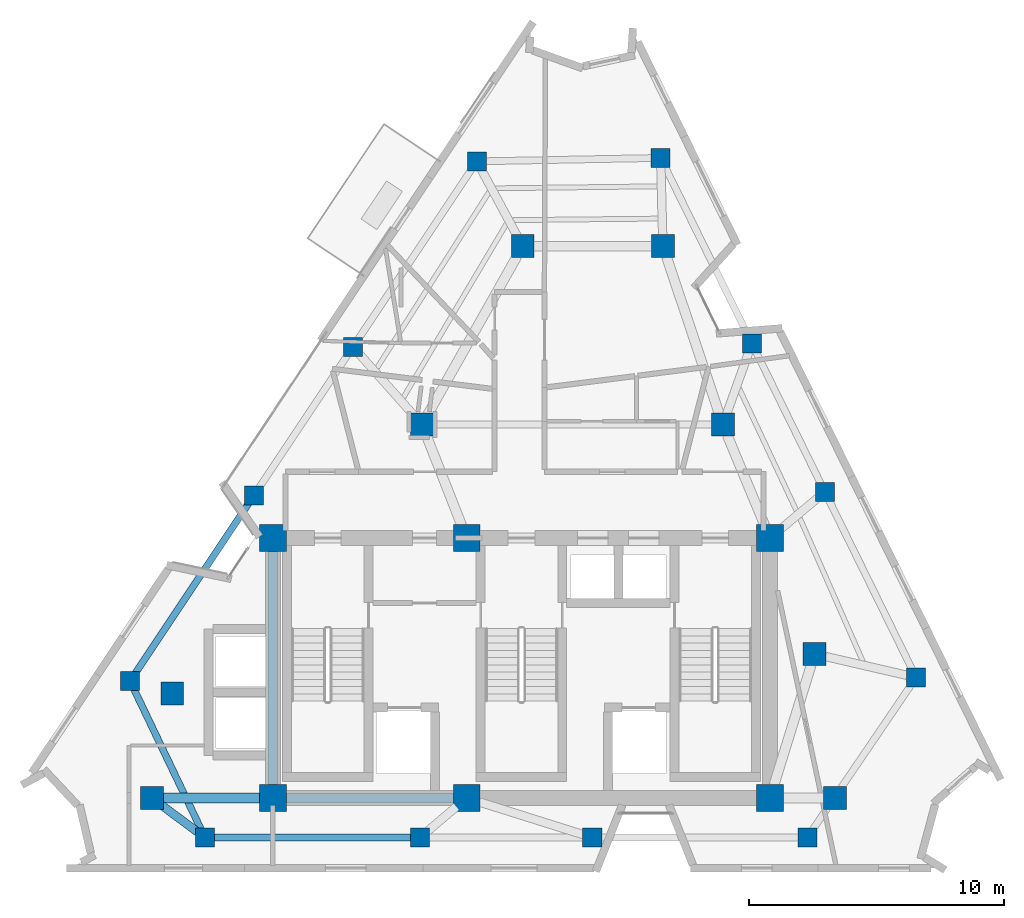
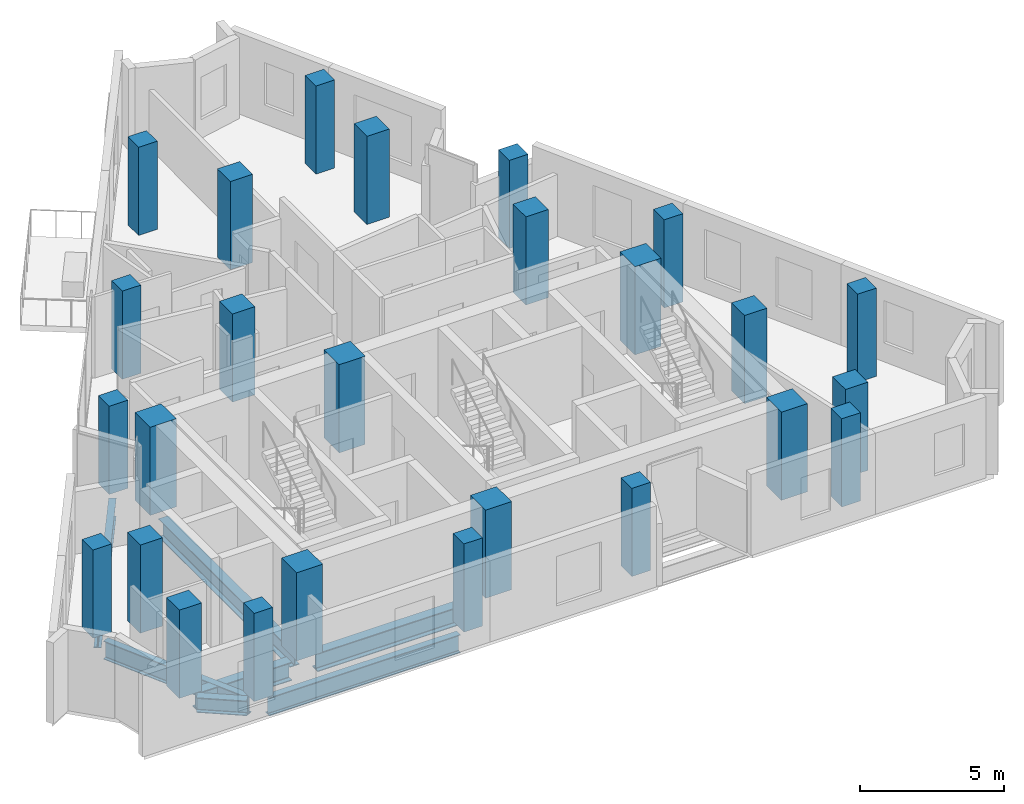
# One storey, part 1 of 8: 26 columns, 7 beams.
"""IFC4 building model written with IfcOpenShell, lengths in metres."""

from ifc_helpers import new_model, si_unit, direction, frame, origin, origin_2d, place, context, subcontext, project, spatial, rectangle, i_section, extrude, material, material_profile, profile_set, type_object, element, save


model = new_model("IFC4")

# Units and contexts
model_context = context("Model", 3, precision=1e-05, world=origin(), true_north=direction((0.0, 1.0)))
body_context = subcontext(model_context, "Body", "Model", "MODEL_VIEW")
ifc_project = project(units=[si_unit("LENGTHUNIT", "METRE"), si_unit("AREAUNIT", "SQUARE_METRE"), si_unit("VOLUMEUNIT", "CUBIC_METRE"), si_unit("PLANEANGLEUNIT", "RADIAN"), si_unit("MASSUNIT", "GRAM", prefix="KILO")], contexts=[model_context])

# Site, building, storey
site_placement = place(None, origin())
site = spatial("IfcSite", under=ifc_project, at=site_placement, CompositionType="ELEMENT")
building_placement = place(site_placement, origin())
building = spatial("IfcBuilding", under=site, at=building_placement, Name="Almagre Mirador Tower", CompositionType="ELEMENT")
storey_placement = place(building_placement, frame((0.0, 0.0, 285.75)))
storey = spatial("IfcBuildingStorey", under=building, at=storey_placement, Name="L74", CompositionType="ELEMENT", Elevation=285.75)

# Columns
ifc_material_1 = material(Name="Concrete C60/75", Category="concrete")
ifc_material_profile_1 = material_profile(ifc_material_1, rectangle(XDim=1.050048828125, YDim=1.050048828125, at=origin_2d()), Name="RC1050X1050")
ifc_profile_set_1 = profile_set([ifc_material_profile_1], Name="Concrete C60/75")
column_type_1 = type_object("IfcColumnType", Name="COL-RC1050", PredefinedType="COLUMN", material=ifc_profile_set_1)
for number, where, z_axis, x_axis, name in (
    (1, (27.550048828125, 4.550048828125, 0.0), (0.0, 0.0, 1.0), (1.0, 0.0, 0.0), "L74 core spine column CC1"),
    (2, (35.14990234375, 4.550048828125, 0.0), (0.0, 0.0, 1.0), (1.0, 0.0, 0.0), "L74 core spine column CC2"),
    (3, (47.050048828125, 4.550048828125, 0.0), (0.0, 0.0, 1.0), (1.0, 0.0, 0.0), "L74 core spine column CC3"),
    (4, (27.550048828125, 14.75, 0.0), (0.0, 0.0, 1.0), (1.0, 0.0, 0.0), "L74 core spine column CC4"),
    (5, (35.14990234375, 14.75, 0.0), (0.0, 0.0, 1.0), (1.0, 0.0, 0.0), "L74 core spine column CC5"),
    (6, (47.050048828125, 14.75, 0.0), (0.0, 0.0, 1.0), (1.0, 0.0, 0.0), "L74 core spine column CC6"),
):
    element("IfcColumn", number, at=place(storey_placement, frame(where, z_axis=z_axis, x_axis=x_axis)), inside=storey, type_object=column_type_1, Name=name, PredefinedType="COLUMN", context=body_context, shape_type="SweptSolid", body=[
        extrude(rectangle(XDim=1.050048828125, YDim=1.050048828125, at=origin_2d()), origin(), (0.0, 0.0, 1.0), 3.75),
    ])
ifc_material_2 = material(Name="Concrete C60/75", Category="concrete")
ifc_material_profile_2 = material_profile(ifc_material_2, rectangle(XDim=0.75, YDim=0.75, at=origin_2d()), Name="RC750X750")
ifc_profile_set_2 = profile_set([ifc_material_profile_2], Name="Concrete C60/75")
column_type_2 = type_object("IfcColumnType", Name="COL-RC750", PredefinedType="COLUMN", material=ifc_profile_set_2)
for number, where, z_axis, x_axis, name in (
    (7, (24.884033203125, 3.0, 0.0), (0.0, 0.0, 1.0), (1.0, 0.0, 0.0), "L74 perimeter column PC01"),
    (8, (33.323974609375, 3.0, 0.0), (0.0, 0.0, 1.0), (1.0, 0.0, 0.0), "L74 perimeter column PC02"),
    (9, (40.075927734375, 3.0, 0.0), (0.0, 0.0, 1.0), (1.0, 0.0, 0.0), "L74 perimeter column PC03"),
    (10, (48.51611328125, 3.0, 0.0), (0.0, 0.0, 1.0), (1.0, 0.0, 0.0), "L74 perimeter column PC04"),
    (11, (52.784912109375, 9.278076171875, 0.0), (0.0, 0.0, 1.0), (1.0, 0.0, 0.0), "L74 perimeter column PC05"),
    (12, (49.205078125, 16.55810546875, 0.0), (0.0, 0.0, 1.0), (1.0, 0.0, 0.0), "L74 perimeter column PC06"),
    (13, (46.341064453125, 22.382080078125, 0.0), (0.0, 0.0, 1.0), (1.0, 0.0, 0.0), "L74 perimeter column PC07"),
    (14, (42.760986328125, 29.662109375, 0.0), (0.0, 0.0, 1.0), (1.0, 0.0, 0.0), "L74 perimeter column PC08"),
    (15, (35.552001953125, 29.52587890625, 0.0), (0.0, 0.0, 1.0), (1.0, 0.0, 0.0), "L74 perimeter column PC09"),
    (16, (30.69189453125, 22.24609375, 0.0), (0.0, 0.0, 1.0), (1.0, 0.0, 0.0), "L74 perimeter column PC10"),
    (17, (26.803955078125, 16.422119140625, 0.0), (0.0, 0.0, 1.0), (1.0, 0.0, 0.0), "L74 perimeter column PC11"),
    (18, (21.944091796875, 9.14208984375, 0.0), (0.0, 0.0, 1.0), (1.0, 0.0, 0.0), "L74 perimeter column PC12"),
):
    element("IfcColumn", number, at=place(storey_placement, frame(where, z_axis=z_axis, x_axis=x_axis)), inside=storey, type_object=column_type_2, Name=name, PredefinedType="COLUMN", context=body_context, shape_type="SweptSolid", body=[
        extrude(rectangle(XDim=0.75, YDim=0.75, at=origin_2d()), origin(), (0.0, 0.0, 1.0), 3.75),
    ])
ifc_material_3 = material(Name="Concrete C60/75", Category="concrete")
ifc_material_profile_3 = material_profile(ifc_material_3, rectangle(XDim=0.89990234375, YDim=0.89990234375, at=origin_2d()), Name="RC900X900")
ifc_profile_set_3 = profile_set([ifc_material_profile_3], Name="Concrete C60/75")
column_type_3 = type_object("IfcColumnType", Name="COL-RC900", PredefinedType="COLUMN", material=ifc_profile_set_3)
for number, where, z_axis, x_axis, name in (
    (19, (22.800048828125, 4.550048828125, 0.0), (0.0, 0.0, 1.0), (1.0, 0.0, 0.0), "L74 interior transfer column MC1"),
    (20, (49.60009765625, 4.550048828125, 0.0), (0.0, 0.0, 1.0), (1.0, 0.0, 0.0), "L74 interior transfer column MC2"),
    (21, (48.800048828125, 10.199951171875, 0.0), (0.0, 0.0, 1.0), (1.0, 0.0, 0.0), "L74 interior transfer column MC3"),
    (22, (45.199951171875, 19.199951171875, 0.0), (0.0, 0.0, 1.0), (1.0, 0.0, 0.0), "L74 interior transfer column MC5"),
    (23, (42.85009765625, 26.199951171875, 0.0), (0.0, 0.0, 1.0), (1.0, 0.0, 0.0), "L74 interior transfer column MC6"),
    (24, (37.35009765625, 26.199951171875, 0.0), (0.0, 0.0, 1.0), (1.0, 0.0, 0.0), "L74 interior transfer column MC7"),
    (25, (33.39990234375, 19.199951171875, 0.0), (0.0, 0.0, 1.0), (1.0, 0.0, 0.0), "L74 interior transfer column MC8"),
    (26, (23.60009765625, 8.64990234375, 0.0), (0.0, 0.0, 1.0), (1.0, 0.0, 0.0), "L74 interior transfer column MC10"),
):
    element("IfcColumn", number, at=place(storey_placement, frame(where, z_axis=z_axis, x_axis=x_axis)), inside=storey, type_object=column_type_3, Name=name, PredefinedType="COLUMN", context=body_context, shape_type="SweptSolid", body=[
        extrude(rectangle(XDim=0.89990234375, YDim=0.89990234375, at=origin_2d()), origin(), (0.0, 0.0, 1.0), 3.75),
    ])

# Beams
ifc_material_4 = material(Name="Steel ASTM A992 Grade 50", Category="steel")
ifc_material_profile_4 = material_profile(ifc_material_4, i_section(OverallWidth=0.26708984375, OverallDepth=0.779052734375, WebThickness=0.0166015625, FlangeThickness=0.030029296875, FilletRadius=0.02392578125, at=origin_2d()), Name="W30X148")
ifc_profile_set_4 = profile_set([ifc_material_profile_4], Name="Steel ASTM A992 Grade 50")
beam_type_1 = type_object("IfcBeamType", Name="BM-SPN-W30X148", PredefinedType="SPANDREL", material=ifc_profile_set_4)
beam_1_placement = place(storey_placement, frame((25.259033203125, 3.0, -0.639404296875), z_axis=(1.0, 0.0, 0.0), x_axis=(0.0, 1.0, 0.0)))
element("IfcBeam", 27, at=beam_1_placement, inside=storey, type_object=beam_type_1, Name="L74 perimeter spandrel beam PC01-PC02", PredefinedType="SPANDREL", context=body_context, shape_type="SweptSolid", body=[
    extrude(i_section(OverallWidth=0.26708984375, OverallDepth=0.779052734375, WebThickness=0.0166015625, FlangeThickness=0.030029296875, FilletRadius=0.02392578125, at=origin_2d()), origin(), (0.0, 0.0, 1.0), 7.68994140625),
])
beam_2_placement = place(storey_placement, frame((26.595703125, 16.110107421875, -0.639404296875), z_axis=(-0.555228061938, -0.831698141898, 0.0), x_axis=(0.831698141898, -0.555228061938, 0.0)))
element("IfcBeam", 28, at=beam_2_placement, inside=storey, type_object=beam_type_1, Name="L74 perimeter spandrel beam PC11-PC12", PredefinedType="SPANDREL", context=body_context, shape_type="SweptSolid", body=[
    extrude(i_section(OverallWidth=0.26708984375, OverallDepth=0.779052734375, WebThickness=0.0166015625, FlangeThickness=0.030029296875, FilletRadius=0.02392578125, at=origin_2d()), origin(), (0.0, 0.0, 1.0), 8.003173828125),
])
beam_3_placement = place(storey_placement, frame((22.10595703125, 8.8037109375, -0.639404296875), z_axis=(0.431756290683, -0.901990302307, 0.0), x_axis=(0.901990302307, 0.431756290683, 0.0)))
element("IfcBeam", 29, at=beam_3_placement, inside=storey, type_object=beam_type_1, Name="L74 perimeter spandrel beam PC12-PC01", PredefinedType="SPANDREL", context=body_context, shape_type="SweptSolid", body=[
    extrude(i_section(OverallWidth=0.26708984375, OverallDepth=0.779052734375, WebThickness=0.0166015625, FlangeThickness=0.030029296875, FilletRadius=0.02392578125, at=origin_2d()), origin(), (0.0, 0.0, 1.0), 6.0595703125),
])
ifc_material_5 = material(Name="Steel ASTM A992 Grade 50", Category="steel")
ifc_material_profile_5 = material_profile(ifc_material_5, i_section(OverallWidth=0.330078125, OverallDepth=0.635009765625, WebThickness=0.017822265625, FlangeThickness=0.031005859375, FilletRadius=0.02001953125, at=origin_2d()), Name="W24X162")
ifc_profile_set_5 = profile_set([ifc_material_profile_5], Name="Steel ASTM A992 Grade 50")
beam_type_2 = type_object("IfcBeamType", Name="BM-STL-W24X162", PredefinedType="BEAM", material=ifc_profile_set_5)
beam_4_placement = place(storey_placement, frame((24.5830078125, 3.223876953125, -0.5673828125), z_axis=(-0.802374373866, 0.596821048693, 0.0), x_axis=(-0.596821048693, -0.802374373866, 0.0)))
element("IfcBeam", 30, at=beam_4_placement, inside=storey, type_object=beam_type_2, Name="L74 radial floor girder PC01-MC1", PredefinedType="BEAM", context=body_context, shape_type="SweptSolid", body=[
    extrude(i_section(OverallWidth=0.330078125, OverallDepth=0.635009765625, WebThickness=0.017822265625, FlangeThickness=0.031005859375, FilletRadius=0.02001953125, at=origin_2d()), origin(), (0.0, 0.0, 1.0), 1.77197265625),
])
ifc_material_6 = material(Name="Steel ASTM A992 Grade 50", Category="steel")
ifc_material_profile_6 = material_profile(ifc_material_6, i_section(OverallWidth=0.384033203125, OverallDepth=0.784912109375, WebThickness=0.019775390625, FlangeThickness=0.033447265625, FilletRadius=0.02392578125, at=origin_2d()), Name="W30X211")
ifc_profile_set_6 = profile_set([ifc_material_profile_6], Name="Steel ASTM A992 Grade 50")
beam_type_3 = type_object("IfcBeamType", Name="BM-STL-W30X211", PredefinedType="BEAM", material=ifc_profile_set_6)
beam_5_placement = place(storey_placement, frame((28.074951171875, 4.550048828125, -0.642578125), z_axis=(1.0, 0.0, 0.0), x_axis=(0.0, 1.0, 0.0)))
element("IfcBeam", 31, at=beam_5_placement, inside=storey, type_object=beam_type_3, Name="L74 core tie girder CC1-CC2", PredefinedType="BEAM", context=body_context, shape_type="SweptSolid", body=[
    extrude(i_section(OverallWidth=0.384033203125, OverallDepth=0.784912109375, WebThickness=0.019775390625, FlangeThickness=0.033447265625, FilletRadius=0.02392578125, at=origin_2d()), origin(), (0.0, 0.0, 1.0), 6.550048828125),
])
beam_6_placement = place(storey_placement, frame((27.550048828125, 5.074951171875, -0.642578125), z_axis=(0.0, 1.0, 0.0), x_axis=(-1.0, 0.0, 0.0)))
element("IfcBeam", 32, at=beam_6_placement, inside=storey, type_object=beam_type_3, Name="L74 core tie girder CC1-CC4", PredefinedType="BEAM", context=body_context, shape_type="SweptSolid", body=[
    extrude(i_section(OverallWidth=0.384033203125, OverallDepth=0.784912109375, WebThickness=0.019775390625, FlangeThickness=0.033447265625, FilletRadius=0.02392578125, at=origin_2d()), origin(), (0.0, 0.0, 1.0), 9.150146484375),
])
beam_7_placement = place(storey_placement, frame((23.25, 4.550048828125, -0.642578125), z_axis=(1.0, 0.0, 0.0), x_axis=(0.0, 1.0, 0.0)))
element("IfcBeam", 33, at=beam_7_placement, inside=storey, type_object=beam_type_3, Name="L74 core tie girder MC1-CC1", PredefinedType="BEAM", context=body_context, shape_type="SweptSolid", body=[
    extrude(i_section(OverallWidth=0.384033203125, OverallDepth=0.784912109375, WebThickness=0.019775390625, FlangeThickness=0.033447265625, FilletRadius=0.02392578125, at=origin_2d()), origin(), (0.0, 0.0, 1.0), 3.77490234375),
])

save(model, "model.ifc")
